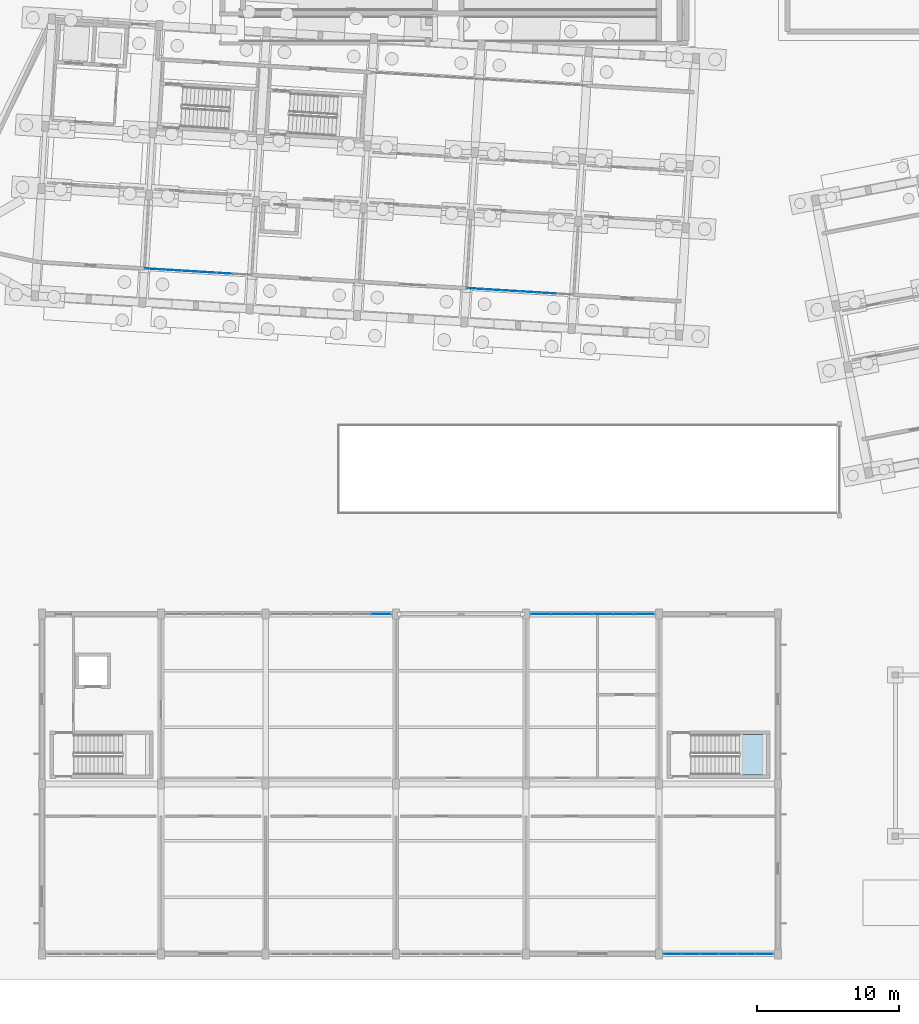
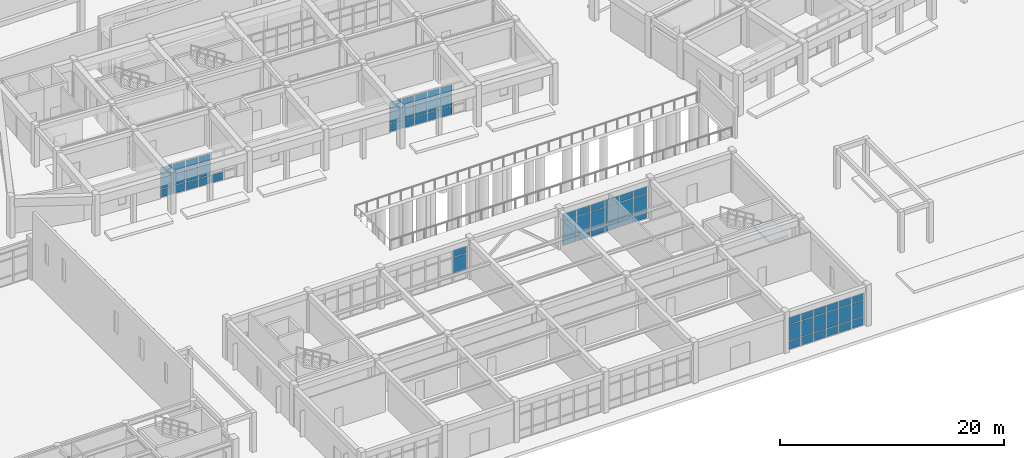
# One storey, part 103 of 154: 66 plates, 1 slab, 6 elements without a shape of their own.
"""IFC4 building model written with IfcOpenShell, lengths in metres."""

from ifc_helpers import new_model, si_unit, direction, frame, origin, origin_2d, place, context, subcontext, project, spatial, polyline, rectangle, outline, extrude, material, layer, layer_set, type_object, element, aggregate, save


model = new_model("IFC4")

# Units and contexts
model_context = context("Model", 3, precision=1e-05, world=origin(), true_north=direction((0.0, 1.0)))
body_context = subcontext(model_context, "Body", "Model", "MODEL_VIEW")
ifc_project = project(units=[si_unit("LENGTHUNIT", "METRE"), si_unit("AREAUNIT", "SQUARE_METRE"), si_unit("VOLUMEUNIT", "CUBIC_METRE"), si_unit("PLANEANGLEUNIT", "RADIAN"), si_unit("MASSUNIT", "GRAM", prefix="KILO")], contexts=[model_context])

# Site, building, storey
site_placement = place(None, origin())
site = spatial("IfcSite", under=ifc_project, at=site_placement, CompositionType="ELEMENT")
building_placement = place(site_placement, origin())
building = spatial("IfcBuilding", under=site, at=building_placement, Name="Kestramere Prow Commons", CompositionType="ELEMENT")
storey_placement = place(building_placement, origin())
storey = spatial("IfcBuildingStorey", under=building, at=storey_placement, Name="L00", CompositionType="ELEMENT", Elevation=0.0)

# Curtain wall, plates
ifc_material_1 = material(Name="Anodised Aluminium and Low-E Glass", Category="aluminium")
curtain_wall_type_1 = type_object("IfcCurtainWallType", Name="CW-07 Glazed Curtain Wall 7580x3350", PredefinedType="USERDEFINED", material=ifc_material_1)
curtain_wall_1_placement = place(storey_placement, origin())
curtain_wall_1 = element("IfcCurtainWall", 1, at=curtain_wall_1_placement, inside=storey, type_object=curtain_wall_type_1, Name="Block C L00 South Colonnade Storefront 2", ObjectType="GLAZED CURTAIN WALL", PredefinedType="USERDEFINED")
ifc_material_2 = material(Name="Low-E Laminated Double Glazing", Category="glass")
ifc_layer_1 = layer(ifc_material_2, 0.028076171875)
ifc_layer_set_1 = layer_set([ifc_layer_1], Name="Low-E Laminated Double Glazing")
plate_type = type_object("IfcPlateType", Name="CW-PNL-28", PredefinedType="CURTAIN_PANEL", material=ifc_layer_set_1)
plate_1_placement = place(storey_placement, frame((72.916748046875, 48.083984375, 0.06494140625), z_axis=(0.0, 0.0, 1.0), x_axis=(-0.998134797969, 0.061048546939, 0.0)))
plate_1 = element("IfcPlate", 2, at=plate_1_placement, type_object=plate_type, Name="CW-07 panel 2.1", PredefinedType="CURTAIN_PANEL", context=body_context, shape_type="SweptSolid", body=[
    extrude(rectangle(XDim=1.1982421875, YDim=0.028076171875, at=origin_2d()), origin(), (0.0, 0.0, 1.0), 0.8525390625),
])
plate_2_placement = place(storey_placement, frame((71.65576171875, 48.160888671875, 0.06494140625), z_axis=(0.0, 0.0, 1.0), x_axis=(-0.998134797969, 0.061048546939, 0.0)))
plate_2 = element("IfcPlate", 3, at=plate_2_placement, type_object=plate_type, Name="CW-07 panel 3.1", PredefinedType="CURTAIN_PANEL", context=body_context, shape_type="SweptSolid", body=[
    extrude(rectangle(XDim=1.1982421875, YDim=0.028076171875, at=origin_2d()), origin(), (0.0, 0.0, 1.0), 0.8525390625),
])
plate_3_placement = place(storey_placement, frame((71.65576171875, 48.160888671875, 0.982421875), z_axis=(0.0, 0.0, 1.0), x_axis=(-0.998134797969, 0.061048546939, 0.0)))
plate_3 = element("IfcPlate", 4, at=plate_3_placement, type_object=plate_type, Name="CW-07 panel 3.2", PredefinedType="CURTAIN_PANEL", context=body_context, shape_type="SweptSolid", body=[
    extrude(rectangle(XDim=1.1982421875, YDim=0.028076171875, at=origin_2d()), origin(), (0.0, 0.0, 1.0), 1.485107421875),
])
plate_4_placement = place(storey_placement, frame((71.65576171875, 48.160888671875, 2.532470703125), z_axis=(0.0, 0.0, 1.0), x_axis=(-0.998134797969, 0.061048546939, 0.0)))
plate_4 = element("IfcPlate", 5, at=plate_4_placement, type_object=plate_type, Name="CW-07 panel 3.3", PredefinedType="CURTAIN_PANEL", context=body_context, shape_type="SweptSolid", body=[
    extrude(rectangle(XDim=1.1982421875, YDim=0.028076171875, at=origin_2d()), origin(), (0.0, 0.0, 1.0), 0.75244140625),
])
plate_5_placement = place(storey_placement, frame((70.394775390625, 48.238037109375, 0.06494140625), z_axis=(0.0, 0.0, 1.0), x_axis=(-0.998134797969, 0.061048546939, 0.0)))
plate_5 = element("IfcPlate", 6, at=plate_5_placement, type_object=plate_type, Name="CW-07 panel 4.1", PredefinedType="CURTAIN_PANEL", context=body_context, shape_type="SweptSolid", body=[
    extrude(rectangle(XDim=1.1982421875, YDim=0.028076171875, at=origin_2d()), origin(), (0.0, 0.0, 1.0), 0.8525390625),
])
plate_6_placement = place(storey_placement, frame((70.394775390625, 48.238037109375, 0.982421875), z_axis=(0.0, 0.0, 1.0), x_axis=(-0.998134797969, 0.061048546939, 0.0)))
plate_6 = element("IfcPlate", 7, at=plate_6_placement, type_object=plate_type, Name="CW-07 panel 4.2", PredefinedType="CURTAIN_PANEL", context=body_context, shape_type="SweptSolid", body=[
    extrude(rectangle(XDim=1.1982421875, YDim=0.028076171875, at=origin_2d()), origin(), (0.0, 0.0, 1.0), 1.485107421875),
])
plate_7_placement = place(storey_placement, frame((70.394775390625, 48.238037109375, 2.532470703125), z_axis=(0.0, 0.0, 1.0), x_axis=(-0.998134797969, 0.061048546939, 0.0)))
plate_7 = element("IfcPlate", 8, at=plate_7_placement, type_object=plate_type, Name="CW-07 panel 4.3", PredefinedType="CURTAIN_PANEL", context=body_context, shape_type="SweptSolid", body=[
    extrude(rectangle(XDim=1.1982421875, YDim=0.028076171875, at=origin_2d()), origin(), (0.0, 0.0, 1.0), 0.75244140625),
])
plate_8_placement = place(storey_placement, frame((69.1337890625, 48.315185546875, 0.06494140625), z_axis=(0.0, 0.0, 1.0), x_axis=(-0.998134797969, 0.061048546939, 0.0)))
plate_8 = element("IfcPlate", 9, at=plate_8_placement, type_object=plate_type, Name="CW-07 panel 5.1", PredefinedType="CURTAIN_PANEL", context=body_context, shape_type="SweptSolid", body=[
    extrude(rectangle(XDim=1.1982421875, YDim=0.028076171875, at=origin_2d()), origin(), (0.0, 0.0, 1.0), 0.8525390625),
])
plate_9_placement = place(storey_placement, frame((69.1337890625, 48.315185546875, 0.982421875), z_axis=(0.0, 0.0, 1.0), x_axis=(-0.998134797969, 0.061048546939, 0.0)))
plate_9 = element("IfcPlate", 10, at=plate_9_placement, type_object=plate_type, Name="CW-07 panel 5.2", PredefinedType="CURTAIN_PANEL", context=body_context, shape_type="SweptSolid", body=[
    extrude(rectangle(XDim=1.1982421875, YDim=0.028076171875, at=origin_2d()), origin(), (0.0, 0.0, 1.0), 1.485107421875),
])
plate_10_placement = place(storey_placement, frame((69.1337890625, 48.315185546875, 2.532470703125), z_axis=(0.0, 0.0, 1.0), x_axis=(-0.998134797969, 0.061048546939, 0.0)))
plate_10 = element("IfcPlate", 11, at=plate_10_placement, type_object=plate_type, Name="CW-07 panel 5.3", PredefinedType="CURTAIN_PANEL", context=body_context, shape_type="SweptSolid", body=[
    extrude(rectangle(XDim=1.1982421875, YDim=0.028076171875, at=origin_2d()), origin(), (0.0, 0.0, 1.0), 0.75244140625),
])
plate_11_placement = place(storey_placement, frame((67.888916015625, 48.391357421875, 0.06494140625), z_axis=(0.0, 0.0, 1.0), x_axis=(-0.998134797969, 0.061048546939, 0.0)))
plate_11 = element("IfcPlate", 12, at=plate_11_placement, type_object=plate_type, Name="CW-07 panel 6.1", PredefinedType="CURTAIN_PANEL", context=body_context, shape_type="SweptSolid", body=[
    extrude(rectangle(XDim=1.165771484375, YDim=0.028076171875, at=origin_2d()), origin(), (0.0, 0.0, 1.0), 0.8525390625),
])
plate_12_placement = place(storey_placement, frame((67.888916015625, 48.391357421875, 0.982421875), z_axis=(0.0, 0.0, 1.0), x_axis=(-0.998134797969, 0.061048546939, 0.0)))
plate_12 = element("IfcPlate", 13, at=plate_12_placement, type_object=plate_type, Name="CW-07 panel 6.2", PredefinedType="CURTAIN_PANEL", context=body_context, shape_type="SweptSolid", body=[
    extrude(rectangle(XDim=1.165771484375, YDim=0.028076171875, at=origin_2d()), origin(), (0.0, 0.0, 1.0), 1.485107421875),
])
plate_13_placement = place(storey_placement, frame((67.888916015625, 48.391357421875, 2.532470703125), z_axis=(0.0, 0.0, 1.0), x_axis=(-0.998134797969, 0.061048546939, 0.0)))
plate_13 = element("IfcPlate", 14, at=plate_13_placement, type_object=plate_type, Name="CW-07 panel 6.3", PredefinedType="CURTAIN_PANEL", context=body_context, shape_type="SweptSolid", body=[
    extrude(rectangle(XDim=1.165771484375, YDim=0.028076171875, at=origin_2d()), origin(), (0.0, 0.0, 1.0), 0.75244140625),
])
aggregate(curtain_wall_1, [plate_1, plate_2, plate_3, plate_4, plate_5, plate_6, plate_7, plate_8, plate_9, plate_10, plate_11, plate_12, plate_13])

curtain_wall_2_placement = place(storey_placement, origin())
curtain_wall_2 = element("IfcCurtainWall", 15, at=curtain_wall_2_placement, inside=storey, type_object=curtain_wall_type_1, Name="Block C L00 South Colonnade Storefront 5", ObjectType="GLAZED CURTAIN WALL", PredefinedType="USERDEFINED")
plate_14_placement = place(storey_placement, frame((95.674072265625, 46.69189453125, 0.06494140625), z_axis=(0.0, 0.0, 1.0), x_axis=(-0.998134797477, 0.061048554987, 0.0)))
plate_14 = element("IfcPlate", 16, at=plate_14_placement, type_object=plate_type, Name="CW-07 panel 2.1", PredefinedType="CURTAIN_PANEL", context=body_context, shape_type="SweptSolid", body=[
    extrude(rectangle(XDim=1.1982421875, YDim=0.028076171875, at=origin_2d()), origin(), (0.0, 0.0, 1.0), 0.8525390625),
])
plate_15_placement = place(storey_placement, frame((95.674072265625, 46.69189453125, 0.982421875), z_axis=(0.0, 0.0, 1.0), x_axis=(-0.998134797477, 0.061048554987, 0.0)))
plate_15 = element("IfcPlate", 17, at=plate_15_placement, type_object=plate_type, Name="CW-07 panel 2.2", PredefinedType="CURTAIN_PANEL", context=body_context, shape_type="SweptSolid", body=[
    extrude(rectangle(XDim=1.1982421875, YDim=0.028076171875, at=origin_2d()), origin(), (0.0, 0.0, 1.0), 1.485107421875),
])
plate_16_placement = place(storey_placement, frame((95.674072265625, 46.69189453125, 2.532470703125), z_axis=(0.0, 0.0, 1.0), x_axis=(-0.998134797477, 0.061048554987, 0.0)))
plate_16 = element("IfcPlate", 18, at=plate_16_placement, type_object=plate_type, Name="CW-07 panel 2.3", PredefinedType="CURTAIN_PANEL", context=body_context, shape_type="SweptSolid", body=[
    extrude(rectangle(XDim=1.1982421875, YDim=0.028076171875, at=origin_2d()), origin(), (0.0, 0.0, 1.0), 0.75244140625),
])
plate_17_placement = place(storey_placement, frame((94.413330078125, 46.76904296875, 0.06494140625), z_axis=(0.0, 0.0, 1.0), x_axis=(-0.998134797477, 0.061048554987, 0.0)))
plate_17 = element("IfcPlate", 19, at=plate_17_placement, type_object=plate_type, Name="CW-07 panel 3.1", PredefinedType="CURTAIN_PANEL", context=body_context, shape_type="SweptSolid", body=[
    extrude(rectangle(XDim=1.1982421875, YDim=0.028076171875, at=origin_2d()), origin(), (0.0, 0.0, 1.0), 0.8525390625),
])
plate_18_placement = place(storey_placement, frame((94.413330078125, 46.76904296875, 0.982421875), z_axis=(0.0, 0.0, 1.0), x_axis=(-0.998134797477, 0.061048554987, 0.0)))
plate_18 = element("IfcPlate", 20, at=plate_18_placement, type_object=plate_type, Name="CW-07 panel 3.2", PredefinedType="CURTAIN_PANEL", context=body_context, shape_type="SweptSolid", body=[
    extrude(rectangle(XDim=1.1982421875, YDim=0.028076171875, at=origin_2d()), origin(), (0.0, 0.0, 1.0), 1.485107421875),
])
plate_19_placement = place(storey_placement, frame((94.413330078125, 46.76904296875, 2.532470703125), z_axis=(0.0, 0.0, 1.0), x_axis=(-0.998134797477, 0.061048554987, 0.0)))
plate_19 = element("IfcPlate", 21, at=plate_19_placement, type_object=plate_type, Name="CW-07 panel 3.3", PredefinedType="CURTAIN_PANEL", context=body_context, shape_type="SweptSolid", body=[
    extrude(rectangle(XDim=1.1982421875, YDim=0.028076171875, at=origin_2d()), origin(), (0.0, 0.0, 1.0), 0.75244140625),
])
plate_20_placement = place(storey_placement, frame((93.15234375, 46.84619140625, 0.06494140625), z_axis=(0.0, 0.0, 1.0), x_axis=(-0.998134797477, 0.061048554987, 0.0)))
plate_20 = element("IfcPlate", 22, at=plate_20_placement, type_object=plate_type, Name="CW-07 panel 4.1", PredefinedType="CURTAIN_PANEL", context=body_context, shape_type="SweptSolid", body=[
    extrude(rectangle(XDim=1.1982421875, YDim=0.028076171875, at=origin_2d()), origin(), (0.0, 0.0, 1.0), 0.8525390625),
])
plate_21_placement = place(storey_placement, frame((93.15234375, 46.84619140625, 0.982421875), z_axis=(0.0, 0.0, 1.0), x_axis=(-0.998134797477, 0.061048554987, 0.0)))
plate_21 = element("IfcPlate", 23, at=plate_21_placement, type_object=plate_type, Name="CW-07 panel 4.2", PredefinedType="CURTAIN_PANEL", context=body_context, shape_type="SweptSolid", body=[
    extrude(rectangle(XDim=1.1982421875, YDim=0.028076171875, at=origin_2d()), origin(), (0.0, 0.0, 1.0), 1.485107421875),
])
plate_22_placement = place(storey_placement, frame((93.15234375, 46.84619140625, 2.532470703125), z_axis=(0.0, 0.0, 1.0), x_axis=(-0.998134797477, 0.061048554987, 0.0)))
plate_22 = element("IfcPlate", 24, at=plate_22_placement, type_object=plate_type, Name="CW-07 panel 4.3", PredefinedType="CURTAIN_PANEL", context=body_context, shape_type="SweptSolid", body=[
    extrude(rectangle(XDim=1.1982421875, YDim=0.028076171875, at=origin_2d()), origin(), (0.0, 0.0, 1.0), 0.75244140625),
])
plate_23_placement = place(storey_placement, frame((91.891357421875, 46.92333984375, 0.06494140625), z_axis=(0.0, 0.0, 1.0), x_axis=(-0.998134797477, 0.061048554987, 0.0)))
plate_23 = element("IfcPlate", 25, at=plate_23_placement, type_object=plate_type, Name="CW-07 panel 5.1", PredefinedType="CURTAIN_PANEL", context=body_context, shape_type="SweptSolid", body=[
    extrude(rectangle(XDim=1.1982421875, YDim=0.028076171875, at=origin_2d()), origin(), (0.0, 0.0, 1.0), 0.8525390625),
])
plate_24_placement = place(storey_placement, frame((91.891357421875, 46.92333984375, 0.982421875), z_axis=(0.0, 0.0, 1.0), x_axis=(-0.998134797477, 0.061048554987, 0.0)))
plate_24 = element("IfcPlate", 26, at=plate_24_placement, type_object=plate_type, Name="CW-07 panel 5.2", PredefinedType="CURTAIN_PANEL", context=body_context, shape_type="SweptSolid", body=[
    extrude(rectangle(XDim=1.1982421875, YDim=0.028076171875, at=origin_2d()), origin(), (0.0, 0.0, 1.0), 1.485107421875),
])
plate_25_placement = place(storey_placement, frame((91.891357421875, 46.92333984375, 2.532470703125), z_axis=(0.0, 0.0, 1.0), x_axis=(-0.998134797477, 0.061048554987, 0.0)))
plate_25 = element("IfcPlate", 27, at=plate_25_placement, type_object=plate_type, Name="CW-07 panel 5.3", PredefinedType="CURTAIN_PANEL", context=body_context, shape_type="SweptSolid", body=[
    extrude(rectangle(XDim=1.1982421875, YDim=0.028076171875, at=origin_2d()), origin(), (0.0, 0.0, 1.0), 0.75244140625),
])
plate_26_placement = place(storey_placement, frame((90.646484375, 46.99951171875, 0.06494140625), z_axis=(0.0, 0.0, 1.0), x_axis=(-0.998134797477, 0.061048554987, 0.0)))
plate_26 = element("IfcPlate", 28, at=plate_26_placement, type_object=plate_type, Name="CW-07 panel 6.1", PredefinedType="CURTAIN_PANEL", context=body_context, shape_type="SweptSolid", body=[
    extrude(rectangle(XDim=1.165771484375, YDim=0.028076171875, at=origin_2d()), origin(), (0.0, 0.0, 1.0), 0.8525390625),
])
plate_27_placement = place(storey_placement, frame((90.646484375, 46.99951171875, 0.982421875), z_axis=(0.0, 0.0, 1.0), x_axis=(-0.998134797477, 0.061048554987, 0.0)))
plate_27 = element("IfcPlate", 29, at=plate_27_placement, type_object=plate_type, Name="CW-07 panel 6.2", PredefinedType="CURTAIN_PANEL", context=body_context, shape_type="SweptSolid", body=[
    extrude(rectangle(XDim=1.165771484375, YDim=0.028076171875, at=origin_2d()), origin(), (0.0, 0.0, 1.0), 1.485107421875),
])
plate_28_placement = place(storey_placement, frame((90.646484375, 46.99951171875, 2.532470703125), z_axis=(0.0, 0.0, 1.0), x_axis=(-0.998134797477, 0.061048554987, 0.0)))
plate_28 = element("IfcPlate", 30, at=plate_28_placement, type_object=plate_type, Name="CW-07 panel 6.3", PredefinedType="CURTAIN_PANEL", context=body_context, shape_type="SweptSolid", body=[
    extrude(rectangle(XDim=1.165771484375, YDim=0.028076171875, at=origin_2d()), origin(), (0.0, 0.0, 1.0), 0.75244140625),
])
aggregate(curtain_wall_2, [plate_14, plate_15, plate_16, plate_17, plate_18, plate_19, plate_20, plate_21, plate_22, plate_23, plate_24, plate_25, plate_26, plate_27, plate_28])

curtain_wall_type_2 = type_object("IfcCurtainWallType", Name="CW-21 Glazed Curtain Wall 8600x3590", PredefinedType="USERDEFINED", material=ifc_material_1)
curtain_wall_3_placement = place(storey_placement, origin())
curtain_wall_3 = element("IfcCurtainWall", 31, at=curtain_wall_3_placement, inside=storey, type_object=curtain_wall_type_2, Name="Market L00 Courtyard Shopfront 3", ObjectType="GLAZED CURTAIN WALL", PredefinedType="USERDEFINED")
plate_29_placement = place(storey_placement, frame((83.967041015625, 24.0, 0.982421875), z_axis=(0.0, 0.0, 1.0), x_axis=(1.0, 0.0, 0.0)))
plate_29 = element("IfcPlate", 32, at=plate_29_placement, type_object=plate_type, Name="CW-21 panel 6.2", PredefinedType="CURTAIN_PANEL", context=body_context, shape_type="SweptSolid", body=[
    extrude(rectangle(XDim=1.3359375, YDim=0.028076171875, at=origin_2d()), origin(), (0.0, 0.0, 1.0), 1.72509765625),
])
plate_30_placement = place(storey_placement, frame((83.967041015625, 24.0, 2.7724609375), z_axis=(0.0, 0.0, 1.0), x_axis=(1.0, 0.0, 0.0)))
plate_30 = element("IfcPlate", 33, at=plate_30_placement, type_object=plate_type, Name="CW-21 panel 6.3", PredefinedType="CURTAIN_PANEL", context=body_context, shape_type="SweptSolid", body=[
    extrude(rectangle(XDim=1.3359375, YDim=0.028076171875, at=origin_2d()), origin(), (0.0, 0.0, 1.0), 0.75244140625),
])
aggregate(curtain_wall_3, [plate_29, plate_30])

curtain_wall_type_3 = type_object("IfcCurtainWallType", Name="CW-22 Glazed Curtain Wall 8800x3590", PredefinedType="USERDEFINED", material=ifc_material_1)
curtain_wall_4_placement = place(storey_placement, origin())
curtain_wall_4 = element("IfcCurtainWall", 34, at=curtain_wall_4_placement, inside=storey, type_object=curtain_wall_type_3, Name="Market L00 Courtyard Shopfront 5", ObjectType="GLAZED CURTAIN WALL", PredefinedType="USERDEFINED")
plate_31_placement = place(storey_placement, frame((95.24951171875, 24.0, 0.06494140625), z_axis=(0.0, 0.0, 1.0), x_axis=(1.0, 0.0, 0.0)))
plate_31 = element("IfcPlate", 35, at=plate_31_placement, type_object=plate_type, Name="CW-22 panel 1.1", PredefinedType="CURTAIN_PANEL", context=body_context, shape_type="SweptSolid", body=[
    extrude(rectangle(XDim=1.369140625, YDim=0.028076171875, at=origin_2d()), origin(), (0.0, 0.0, 1.0), 0.8525390625),
])
plate_32_placement = place(storey_placement, frame((95.24951171875, 24.0, 0.982421875), z_axis=(0.0, 0.0, 1.0), x_axis=(1.0, 0.0, 0.0)))
plate_32 = element("IfcPlate", 36, at=plate_32_placement, type_object=plate_type, Name="CW-22 panel 1.2", PredefinedType="CURTAIN_PANEL", context=body_context, shape_type="SweptSolid", body=[
    extrude(rectangle(XDim=1.369140625, YDim=0.028076171875, at=origin_2d()), origin(), (0.0, 0.0, 1.0), 1.72509765625),
])
plate_33_placement = place(storey_placement, frame((95.24951171875, 24.0, 2.7724609375), z_axis=(0.0, 0.0, 1.0), x_axis=(1.0, 0.0, 0.0)))
plate_33 = element("IfcPlate", 37, at=plate_33_placement, type_object=plate_type, Name="CW-22 panel 1.3", PredefinedType="CURTAIN_PANEL", context=body_context, shape_type="SweptSolid", body=[
    extrude(rectangle(XDim=1.369140625, YDim=0.028076171875, at=origin_2d()), origin(), (0.0, 0.0, 1.0), 0.75244140625),
])
plate_34_placement = place(storey_placement, frame((96.699951171875, 24.0, 0.06494140625), z_axis=(0.0, 0.0, 1.0), x_axis=(1.0, 0.0, 0.0)))
plate_34 = element("IfcPlate", 38, at=plate_34_placement, type_object=plate_type, Name="CW-22 panel 2.1", PredefinedType="CURTAIN_PANEL", context=body_context, shape_type="SweptSolid", body=[
    extrude(rectangle(XDim=1.401611328125, YDim=0.028076171875, at=origin_2d()), origin(), (0.0, 0.0, 1.0), 0.8525390625),
])
plate_35_placement = place(storey_placement, frame((96.699951171875, 24.0, 0.982421875), z_axis=(0.0, 0.0, 1.0), x_axis=(1.0, 0.0, 0.0)))
plate_35 = element("IfcPlate", 39, at=plate_35_placement, type_object=plate_type, Name="CW-22 panel 2.2", PredefinedType="CURTAIN_PANEL", context=body_context, shape_type="SweptSolid", body=[
    extrude(rectangle(XDim=1.401611328125, YDim=0.028076171875, at=origin_2d()), origin(), (0.0, 0.0, 1.0), 1.72509765625),
])
plate_36_placement = place(storey_placement, frame((96.699951171875, 24.0, 2.7724609375), z_axis=(0.0, 0.0, 1.0), x_axis=(1.0, 0.0, 0.0)))
plate_36 = element("IfcPlate", 40, at=plate_36_placement, type_object=plate_type, Name="CW-22 panel 2.3", PredefinedType="CURTAIN_PANEL", context=body_context, shape_type="SweptSolid", body=[
    extrude(rectangle(XDim=1.401611328125, YDim=0.028076171875, at=origin_2d()), origin(), (0.0, 0.0, 1.0), 0.75244140625),
])
plate_37_placement = place(storey_placement, frame((98.166748046875, 24.0, 0.06494140625), z_axis=(0.0, 0.0, 1.0), x_axis=(1.0, 0.0, 0.0)))
plate_37 = element("IfcPlate", 41, at=plate_37_placement, type_object=plate_type, Name="CW-22 panel 3.1", PredefinedType="CURTAIN_PANEL", context=body_context, shape_type="SweptSolid", body=[
    extrude(rectangle(XDim=1.401611328125, YDim=0.028076171875, at=origin_2d()), origin(), (0.0, 0.0, 1.0), 0.8525390625),
])
plate_38_placement = place(storey_placement, frame((98.166748046875, 24.0, 0.982421875), z_axis=(0.0, 0.0, 1.0), x_axis=(1.0, 0.0, 0.0)))
plate_38 = element("IfcPlate", 42, at=plate_38_placement, type_object=plate_type, Name="CW-22 panel 3.2", PredefinedType="CURTAIN_PANEL", context=body_context, shape_type="SweptSolid", body=[
    extrude(rectangle(XDim=1.401611328125, YDim=0.028076171875, at=origin_2d()), origin(), (0.0, 0.0, 1.0), 1.72509765625),
])
plate_39_placement = place(storey_placement, frame((98.166748046875, 24.0, 2.7724609375), z_axis=(0.0, 0.0, 1.0), x_axis=(1.0, 0.0, 0.0)))
plate_39 = element("IfcPlate", 43, at=plate_39_placement, type_object=plate_type, Name="CW-22 panel 3.3", PredefinedType="CURTAIN_PANEL", context=body_context, shape_type="SweptSolid", body=[
    extrude(rectangle(XDim=1.401611328125, YDim=0.028076171875, at=origin_2d()), origin(), (0.0, 0.0, 1.0), 0.75244140625),
])
plate_40_placement = place(storey_placement, frame((99.63330078125, 24.0, 0.06494140625), z_axis=(0.0, 0.0, 1.0), x_axis=(1.0, 0.0, 0.0)))
plate_40 = element("IfcPlate", 44, at=plate_40_placement, type_object=plate_type, Name="CW-22 panel 4.1", PredefinedType="CURTAIN_PANEL", context=body_context, shape_type="SweptSolid", body=[
    extrude(rectangle(XDim=1.401611328125, YDim=0.028076171875, at=origin_2d()), origin(), (0.0, 0.0, 1.0), 0.8525390625),
])
plate_41_placement = place(storey_placement, frame((99.63330078125, 24.0, 0.982421875), z_axis=(0.0, 0.0, 1.0), x_axis=(1.0, 0.0, 0.0)))
plate_41 = element("IfcPlate", 45, at=plate_41_placement, type_object=plate_type, Name="CW-22 panel 4.2", PredefinedType="CURTAIN_PANEL", context=body_context, shape_type="SweptSolid", body=[
    extrude(rectangle(XDim=1.401611328125, YDim=0.028076171875, at=origin_2d()), origin(), (0.0, 0.0, 1.0), 1.72509765625),
])
plate_42_placement = place(storey_placement, frame((99.63330078125, 24.0, 2.7724609375), z_axis=(0.0, 0.0, 1.0), x_axis=(1.0, 0.0, 0.0)))
plate_42 = element("IfcPlate", 46, at=plate_42_placement, type_object=plate_type, Name="CW-22 panel 4.3", PredefinedType="CURTAIN_PANEL", context=body_context, shape_type="SweptSolid", body=[
    extrude(rectangle(XDim=1.401611328125, YDim=0.028076171875, at=origin_2d()), origin(), (0.0, 0.0, 1.0), 0.75244140625),
])
plate_43_placement = place(storey_placement, frame((101.10009765625, 24.0, 0.06494140625), z_axis=(0.0, 0.0, 1.0), x_axis=(1.0, 0.0, 0.0)))
plate_43 = element("IfcPlate", 47, at=plate_43_placement, type_object=plate_type, Name="CW-22 panel 5.1", PredefinedType="CURTAIN_PANEL", context=body_context, shape_type="SweptSolid", body=[
    extrude(rectangle(XDim=1.401611328125, YDim=0.028076171875, at=origin_2d()), origin(), (0.0, 0.0, 1.0), 0.8525390625),
])
plate_44_placement = place(storey_placement, frame((101.10009765625, 24.0, 0.982421875), z_axis=(0.0, 0.0, 1.0), x_axis=(1.0, 0.0, 0.0)))
plate_44 = element("IfcPlate", 48, at=plate_44_placement, type_object=plate_type, Name="CW-22 panel 5.2", PredefinedType="CURTAIN_PANEL", context=body_context, shape_type="SweptSolid", body=[
    extrude(rectangle(XDim=1.401611328125, YDim=0.028076171875, at=origin_2d()), origin(), (0.0, 0.0, 1.0), 1.72509765625),
])
plate_45_placement = place(storey_placement, frame((101.10009765625, 24.0, 2.7724609375), z_axis=(0.0, 0.0, 1.0), x_axis=(1.0, 0.0, 0.0)))
plate_45 = element("IfcPlate", 49, at=plate_45_placement, type_object=plate_type, Name="CW-22 panel 5.3", PredefinedType="CURTAIN_PANEL", context=body_context, shape_type="SweptSolid", body=[
    extrude(rectangle(XDim=1.401611328125, YDim=0.028076171875, at=origin_2d()), origin(), (0.0, 0.0, 1.0), 0.75244140625),
])
plate_46_placement = place(storey_placement, frame((102.550537109375, 24.0, 0.06494140625), z_axis=(0.0, 0.0, 1.0), x_axis=(1.0, 0.0, 0.0)))
plate_46 = element("IfcPlate", 50, at=plate_46_placement, type_object=plate_type, Name="CW-22 panel 6.1", PredefinedType="CURTAIN_PANEL", context=body_context, shape_type="SweptSolid", body=[
    extrude(rectangle(XDim=1.369140625, YDim=0.028076171875, at=origin_2d()), origin(), (0.0, 0.0, 1.0), 0.8525390625),
])
plate_47_placement = place(storey_placement, frame((102.550537109375, 24.0, 0.982421875), z_axis=(0.0, 0.0, 1.0), x_axis=(1.0, 0.0, 0.0)))
plate_47 = element("IfcPlate", 51, at=plate_47_placement, type_object=plate_type, Name="CW-22 panel 6.2", PredefinedType="CURTAIN_PANEL", context=body_context, shape_type="SweptSolid", body=[
    extrude(rectangle(XDim=1.369140625, YDim=0.028076171875, at=origin_2d()), origin(), (0.0, 0.0, 1.0), 1.72509765625),
])
plate_48_placement = place(storey_placement, frame((102.550537109375, 24.0, 2.7724609375), z_axis=(0.0, 0.0, 1.0), x_axis=(1.0, 0.0, 0.0)))
plate_48 = element("IfcPlate", 52, at=plate_48_placement, type_object=plate_type, Name="CW-22 panel 6.3", PredefinedType="CURTAIN_PANEL", context=body_context, shape_type="SweptSolid", body=[
    extrude(rectangle(XDim=1.369140625, YDim=0.028076171875, at=origin_2d()), origin(), (0.0, 0.0, 1.0), 0.75244140625),
])
aggregate(curtain_wall_4, [plate_31, plate_32, plate_33, plate_34, plate_35, plate_36, plate_37, plate_38, plate_39, plate_40, plate_41, plate_42, plate_43, plate_44, plate_45, plate_46, plate_47, plate_48])

curtain_wall_type_4 = type_object("IfcCurtainWallType", Name="CW-19 Glazed Curtain Wall 7800x3590", PredefinedType="USERDEFINED", material=ifc_material_1)
curtain_wall_5_placement = place(storey_placement, origin())
curtain_wall_5 = element("IfcCurtainWall", 53, at=curtain_wall_5_placement, inside=storey, type_object=curtain_wall_type_4, Name="Market L00 South Shopfront 6", ObjectType="GLAZED CURTAIN WALL", PredefinedType="USERDEFINED")
plate_49_placement = place(storey_placement, frame((111.03369140625, 0.0, 0.06494140625), z_axis=(0.0, 0.0, 1.0), x_axis=(-1.0, 0.0, 0.0)))
plate_49 = element("IfcPlate", 54, at=plate_49_placement, type_object=plate_type, Name="CW-19 panel 1.1", PredefinedType="CURTAIN_PANEL", context=body_context, shape_type="SweptSolid", body=[
    extrude(rectangle(XDim=1.202392578125, YDim=0.028076171875, at=origin_2d()), origin(), (0.0, 0.0, 1.0), 0.8525390625),
])
plate_50_placement = place(storey_placement, frame((111.03369140625, 0.0, 0.982421875), z_axis=(0.0, 0.0, 1.0), x_axis=(-1.0, 0.0, 0.0)))
plate_50 = element("IfcPlate", 55, at=plate_50_placement, type_object=plate_type, Name="CW-19 panel 1.2", PredefinedType="CURTAIN_PANEL", context=body_context, shape_type="SweptSolid", body=[
    extrude(rectangle(XDim=1.202392578125, YDim=0.028076171875, at=origin_2d()), origin(), (0.0, 0.0, 1.0), 1.72509765625),
])
plate_51_placement = place(storey_placement, frame((111.03369140625, 0.0, 2.7724609375), z_axis=(0.0, 0.0, 1.0), x_axis=(-1.0, 0.0, 0.0)))
plate_51 = element("IfcPlate", 56, at=plate_51_placement, type_object=plate_type, Name="CW-19 panel 1.3", PredefinedType="CURTAIN_PANEL", context=body_context, shape_type="SweptSolid", body=[
    extrude(rectangle(XDim=1.202392578125, YDim=0.028076171875, at=origin_2d()), origin(), (0.0, 0.0, 1.0), 0.75244140625),
])
plate_52_placement = place(storey_placement, frame((109.75, 0.0, 0.06494140625), z_axis=(0.0, 0.0, 1.0), x_axis=(-1.0, 0.0, 0.0)))
plate_52 = element("IfcPlate", 57, at=plate_52_placement, type_object=plate_type, Name="CW-19 panel 2.1", PredefinedType="CURTAIN_PANEL", context=body_context, shape_type="SweptSolid", body=[
    extrude(rectangle(XDim=1.235107421875, YDim=0.028076171875, at=origin_2d()), origin(), (0.0, 0.0, 1.0), 0.8525390625),
])
plate_53_placement = place(storey_placement, frame((109.75, 0.0, 0.982421875), z_axis=(0.0, 0.0, 1.0), x_axis=(-1.0, 0.0, 0.0)))
plate_53 = element("IfcPlate", 58, at=plate_53_placement, type_object=plate_type, Name="CW-19 panel 2.2", PredefinedType="CURTAIN_PANEL", context=body_context, shape_type="SweptSolid", body=[
    extrude(rectangle(XDim=1.235107421875, YDim=0.028076171875, at=origin_2d()), origin(), (0.0, 0.0, 1.0), 1.72509765625),
])
plate_54_placement = place(storey_placement, frame((109.75, 0.0, 2.7724609375), z_axis=(0.0, 0.0, 1.0), x_axis=(-1.0, 0.0, 0.0)))
plate_54 = element("IfcPlate", 59, at=plate_54_placement, type_object=plate_type, Name="CW-19 panel 2.3", PredefinedType="CURTAIN_PANEL", context=body_context, shape_type="SweptSolid", body=[
    extrude(rectangle(XDim=1.235107421875, YDim=0.028076171875, at=origin_2d()), origin(), (0.0, 0.0, 1.0), 0.75244140625),
])
plate_55_placement = place(storey_placement, frame((108.449951171875, 0.0, 0.06494140625), z_axis=(0.0, 0.0, 1.0), x_axis=(-1.0, 0.0, 0.0)))
plate_55 = element("IfcPlate", 60, at=plate_55_placement, type_object=plate_type, Name="CW-19 panel 3.1", PredefinedType="CURTAIN_PANEL", context=body_context, shape_type="SweptSolid", body=[
    extrude(rectangle(XDim=1.235107421875, YDim=0.028076171875, at=origin_2d()), origin(), (0.0, 0.0, 1.0), 0.8525390625),
])
plate_56_placement = place(storey_placement, frame((108.449951171875, 0.0, 0.982421875), z_axis=(0.0, 0.0, 1.0), x_axis=(-1.0, 0.0, 0.0)))
plate_56 = element("IfcPlate", 61, at=plate_56_placement, type_object=plate_type, Name="CW-19 panel 3.2", PredefinedType="CURTAIN_PANEL", context=body_context, shape_type="SweptSolid", body=[
    extrude(rectangle(XDim=1.235107421875, YDim=0.028076171875, at=origin_2d()), origin(), (0.0, 0.0, 1.0), 1.72509765625),
])
plate_57_placement = place(storey_placement, frame((108.449951171875, 0.0, 2.7724609375), z_axis=(0.0, 0.0, 1.0), x_axis=(-1.0, 0.0, 0.0)))
plate_57 = element("IfcPlate", 62, at=plate_57_placement, type_object=plate_type, Name="CW-19 panel 3.3", PredefinedType="CURTAIN_PANEL", context=body_context, shape_type="SweptSolid", body=[
    extrude(rectangle(XDim=1.235107421875, YDim=0.028076171875, at=origin_2d()), origin(), (0.0, 0.0, 1.0), 0.75244140625),
])
plate_58_placement = place(storey_placement, frame((107.14990234375, 0.0, 0.06494140625), z_axis=(0.0, 0.0, 1.0), x_axis=(-1.0, 0.0, 0.0)))
plate_58 = element("IfcPlate", 63, at=plate_58_placement, type_object=plate_type, Name="CW-19 panel 4.1", PredefinedType="CURTAIN_PANEL", context=body_context, shape_type="SweptSolid", body=[
    extrude(rectangle(XDim=1.235107421875, YDim=0.028076171875, at=origin_2d()), origin(), (0.0, 0.0, 1.0), 0.8525390625),
])
plate_59_placement = place(storey_placement, frame((107.14990234375, 0.0, 0.982421875), z_axis=(0.0, 0.0, 1.0), x_axis=(-1.0, 0.0, 0.0)))
plate_59 = element("IfcPlate", 64, at=plate_59_placement, type_object=plate_type, Name="CW-19 panel 4.2", PredefinedType="CURTAIN_PANEL", context=body_context, shape_type="SweptSolid", body=[
    extrude(rectangle(XDim=1.235107421875, YDim=0.028076171875, at=origin_2d()), origin(), (0.0, 0.0, 1.0), 1.72509765625),
])
plate_60_placement = place(storey_placement, frame((107.14990234375, 0.0, 2.7724609375), z_axis=(0.0, 0.0, 1.0), x_axis=(-1.0, 0.0, 0.0)))
plate_60 = element("IfcPlate", 65, at=plate_60_placement, type_object=plate_type, Name="CW-19 panel 4.3", PredefinedType="CURTAIN_PANEL", context=body_context, shape_type="SweptSolid", body=[
    extrude(rectangle(XDim=1.235107421875, YDim=0.028076171875, at=origin_2d()), origin(), (0.0, 0.0, 1.0), 0.75244140625),
])
plate_61_placement = place(storey_placement, frame((105.85009765625, 0.0, 0.06494140625), z_axis=(0.0, 0.0, 1.0), x_axis=(-1.0, 0.0, 0.0)))
plate_61 = element("IfcPlate", 66, at=plate_61_placement, type_object=plate_type, Name="CW-19 panel 5.1", PredefinedType="CURTAIN_PANEL", context=body_context, shape_type="SweptSolid", body=[
    extrude(rectangle(XDim=1.235107421875, YDim=0.028076171875, at=origin_2d()), origin(), (0.0, 0.0, 1.0), 0.8525390625),
])
plate_62_placement = place(storey_placement, frame((105.85009765625, 0.0, 0.982421875), z_axis=(0.0, 0.0, 1.0), x_axis=(-1.0, 0.0, 0.0)))
plate_62 = element("IfcPlate", 67, at=plate_62_placement, type_object=plate_type, Name="CW-19 panel 5.2", PredefinedType="CURTAIN_PANEL", context=body_context, shape_type="SweptSolid", body=[
    extrude(rectangle(XDim=1.235107421875, YDim=0.028076171875, at=origin_2d()), origin(), (0.0, 0.0, 1.0), 1.72509765625),
])
plate_63_placement = place(storey_placement, frame((105.85009765625, 0.0, 2.7724609375), z_axis=(0.0, 0.0, 1.0), x_axis=(-1.0, 0.0, 0.0)))
plate_63 = element("IfcPlate", 68, at=plate_63_placement, type_object=plate_type, Name="CW-19 panel 5.3", PredefinedType="CURTAIN_PANEL", context=body_context, shape_type="SweptSolid", body=[
    extrude(rectangle(XDim=1.235107421875, YDim=0.028076171875, at=origin_2d()), origin(), (0.0, 0.0, 1.0), 0.75244140625),
])
plate_64_placement = place(storey_placement, frame((104.566162109375, 0.0, 0.06494140625), z_axis=(0.0, 0.0, 1.0), x_axis=(-1.0, 0.0, 0.0)))
plate_64 = element("IfcPlate", 69, at=plate_64_placement, type_object=plate_type, Name="CW-19 panel 6.1", PredefinedType="CURTAIN_PANEL", context=body_context, shape_type="SweptSolid", body=[
    extrude(rectangle(XDim=1.202392578125, YDim=0.028076171875, at=origin_2d()), origin(), (0.0, 0.0, 1.0), 0.8525390625),
])
plate_65_placement = place(storey_placement, frame((104.566162109375, 0.0, 0.982421875), z_axis=(0.0, 0.0, 1.0), x_axis=(-1.0, 0.0, 0.0)))
plate_65 = element("IfcPlate", 70, at=plate_65_placement, type_object=plate_type, Name="CW-19 panel 6.2", PredefinedType="CURTAIN_PANEL", context=body_context, shape_type="SweptSolid", body=[
    extrude(rectangle(XDim=1.202392578125, YDim=0.028076171875, at=origin_2d()), origin(), (0.0, 0.0, 1.0), 1.72509765625),
])
plate_66_placement = place(storey_placement, frame((104.566162109375, 0.0, 2.7724609375), z_axis=(0.0, 0.0, 1.0), x_axis=(-1.0, 0.0, 0.0)))
plate_66 = element("IfcPlate", 71, at=plate_66_placement, type_object=plate_type, Name="CW-19 panel 6.3", PredefinedType="CURTAIN_PANEL", context=body_context, shape_type="SweptSolid", body=[
    extrude(rectangle(XDim=1.202392578125, YDim=0.028076171875, at=origin_2d()), origin(), (0.0, 0.0, 1.0), 0.75244140625),
])
aggregate(curtain_wall_5, [plate_49, plate_50, plate_51, plate_52, plate_53, plate_54, plate_55, plate_56, plate_57, plate_58, plate_59, plate_60, plate_61, plate_62, plate_63, plate_64, plate_65, plate_66])

# Stair, slab
ifc_material_3 = material(Name="Concrete C40/50", Category="concrete")
stair_type = type_object("IfcStairType", Name="ST-DOG-1350", PredefinedType="HALF_TURN_STAIR", material=ifc_material_3)
stair_placement = place(storey_placement, origin())
stair = element("IfcStair", 72, at=stair_placement, inside=storey, type_object=stair_type, Name="L00 Market and Car Park Exit Stair 2", PredefinedType="HALF_TURN_STAIR")
ifc_layer_2 = layer(ifc_material_3, 0.199951171875)
ifc_layer_set_2 = layer_set([ifc_layer_2], Name="Concrete C40/50")
slab_type = type_object("IfcSlabType", Name="SL-ST-LAND-200", PredefinedType="LANDING", material=ifc_layer_set_2)
slab_placement = place(storey_placement, frame((0.0, 0.0, 2.050048828125)))
slab = element("IfcSlab", 73, at=slab_placement, type_object=slab_type, Name="ST-M2 landing 1", PredefinedType="LANDING", context=body_context, shape_type="SweptSolid", body=[
    extrude(outline(polyline([(109.27001953125, 12.64990234375), (111.199951171875, 12.64990234375), (111.199951171875, 15.5), (109.27001953125, 15.5), (109.27001953125, 12.64990234375)])), origin(), (0.0, 0.0, 1.0), 0.199951171875),
])
aggregate(stair, [slab])

save(model, "model.ifc")
